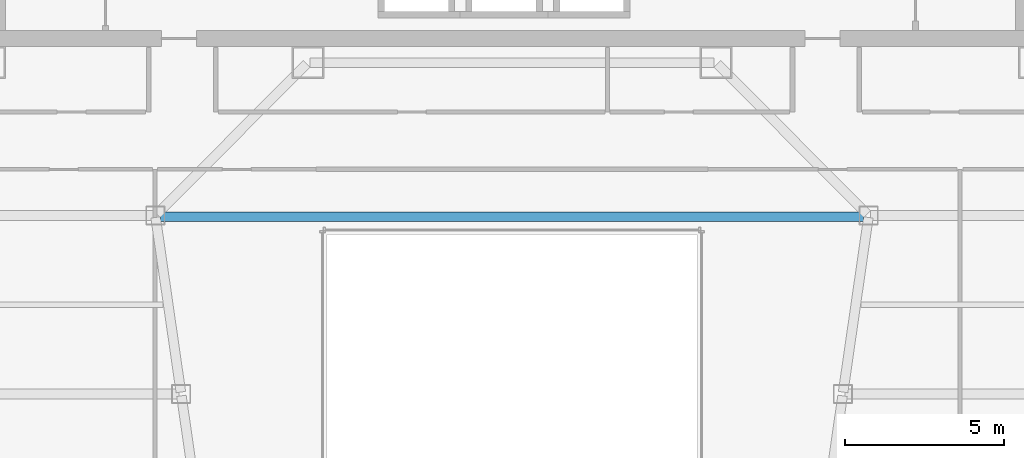
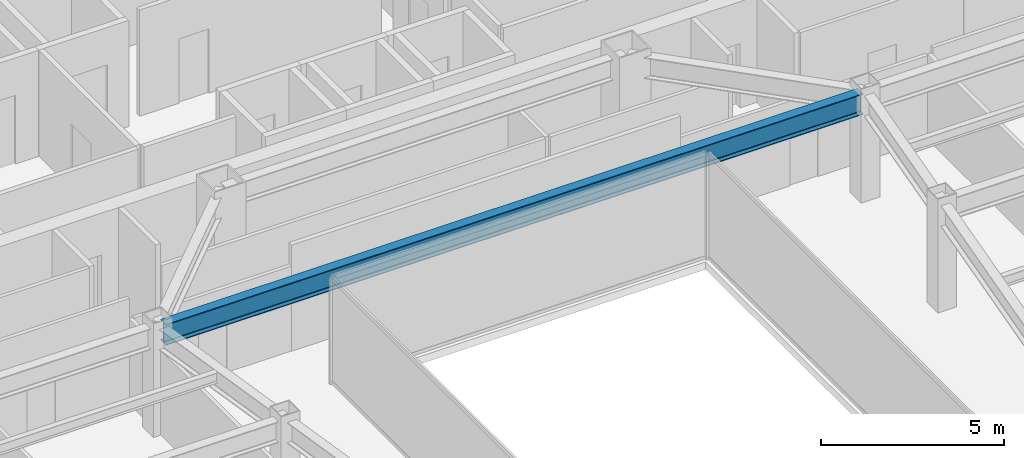
# One storey, part 12 of 37: 1 beam.
"""IFC4 building model written with IfcOpenShell, lengths in metres."""

from ifc_helpers import new_model, si_unit, direction, frame, origin, origin_2d, place, context, subcontext, project, spatial, i_section, extrude, material, material_profile, profile_set, type_object, element, save


model = new_model("IFC4")

# Units and contexts
model_context = context("Model", 3, precision=1e-05, world=origin(), true_north=direction((0.0, 1.0)))
body_context = subcontext(model_context, "Body", "Model", "MODEL_VIEW")
ifc_project = project(units=[si_unit("LENGTHUNIT", "METRE"), si_unit("AREAUNIT", "SQUARE_METRE"), si_unit("VOLUMEUNIT", "CUBIC_METRE"), si_unit("PLANEANGLEUNIT", "RADIAN"), si_unit("MASSUNIT", "GRAM", prefix="KILO")], contexts=[model_context])

# Site, building, storey
site_placement = place(None, origin())
site = spatial("IfcSite", under=ifc_project, at=site_placement, CompositionType="ELEMENT")
building_placement = place(site_placement, origin())
building = spatial("IfcBuilding", under=site, at=building_placement, Name="Saevonmaru Cultural Tower", CompositionType="ELEMENT")
storey_placement = place(building_placement, frame((0.0, 0.0, 160.0)))
storey = spatial("IfcBuildingStorey", under=building, at=storey_placement, Name="L35", CompositionType="ELEMENT", Elevation=160.0)

# Beam
ifc_material = material(Name="Steel SM355", Category="steel")
ifc_material_profile = material_profile(ifc_material, i_section(OverallWidth=0.300048828125, OverallDepth=0.699951171875, WebThickness=0.012939453125, FlangeThickness=0.02392578125, FilletRadius=0.02587890625, at=origin_2d()), Name="H-700x300x13x24")
ifc_profile_set = profile_set([ifc_material_profile], Name="Steel SM355")
beam_type = type_object("IfcBeamType", Name="BM-G-H700", PredefinedType="BEAM", material=ifc_profile_set)
beam_placement = place(storey_placement, frame((18.9716796875, 37.56005859375, 3.199951171875), z_axis=(1.0, 0.0, 0.0), x_axis=(0.0, 1.0, 0.0)))
element("IfcBeam", 1, at=beam_placement, inside=storey, type_object=beam_type, Name="L35 Central Link Girder", PredefinedType="BEAM", context=body_context, shape_type="SweptSolid", body=[
    extrude(i_section(OverallWidth=0.300048828125, OverallDepth=0.699951171875, WebThickness=0.012939453125, FlangeThickness=0.02392578125, FilletRadius=0.02587890625, at=origin_2d()), origin(), (0.0, 0.0, 1.0), 22.056640625),
])

save(model, "model.ifc")
